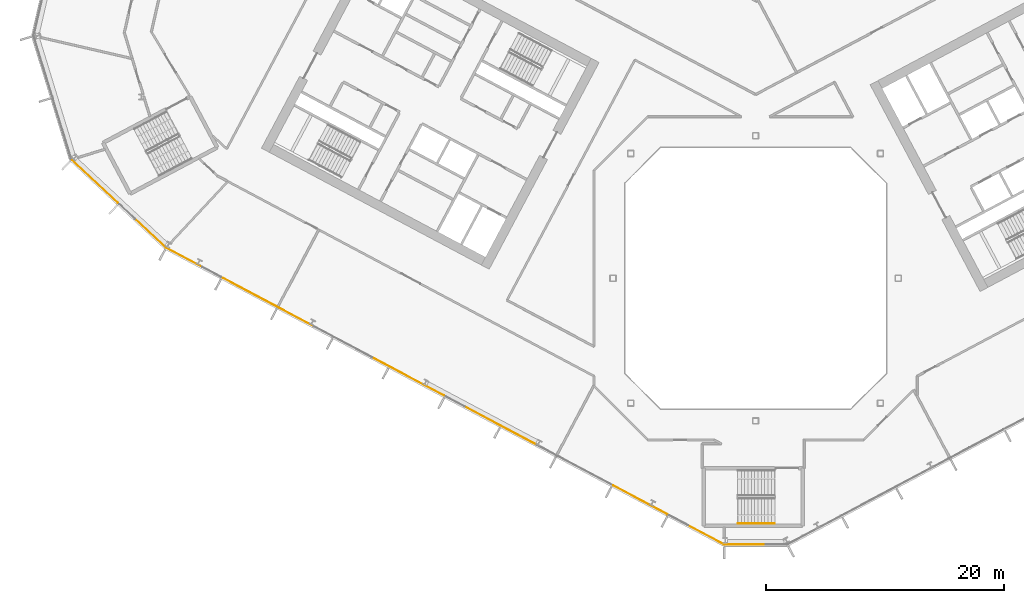
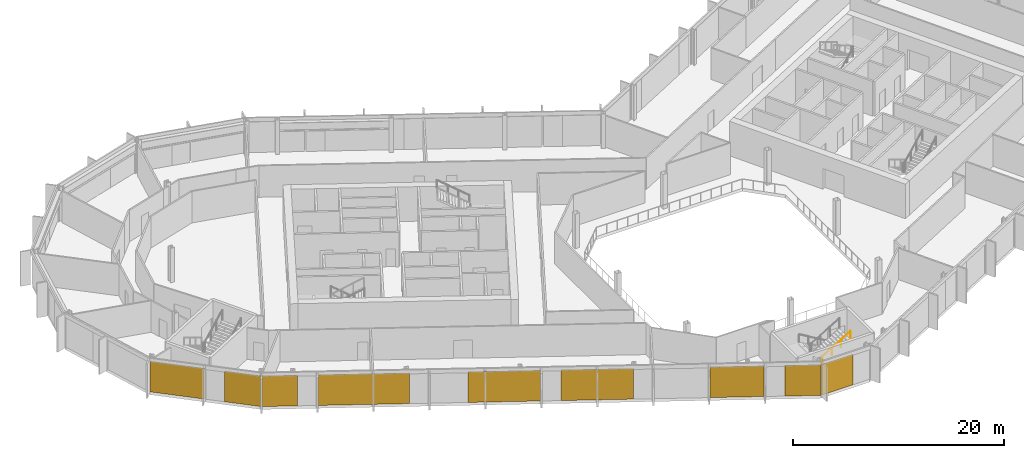
# One storey, part 19 of 28: 9 coverings, 1 railing, 3 elements without a shape of their own.
"""IFC4 building model written with IfcOpenShell, lengths in metres."""

from ifc_helpers import new_model, si_unit, direction, frame, origin, origin_2d, place, context, subcontext, project, spatial, polyline, rectangle, outline, extrude, material, layer, layer_set, type_object, element, aggregate, save


model = new_model("IFC4")

# Units and contexts
model_context = context("Model", 3, precision=1e-05, world=origin(), true_north=direction((0.0, 1.0)))
body_context = subcontext(model_context, "Body", "Model", "MODEL_VIEW")
ifc_project = project(units=[si_unit("LENGTHUNIT", "METRE"), si_unit("AREAUNIT", "SQUARE_METRE"), si_unit("VOLUMEUNIT", "CUBIC_METRE"), si_unit("PLANEANGLEUNIT", "RADIAN"), si_unit("MASSUNIT", "GRAM", prefix="KILO")], contexts=[model_context])

# Site, building, storey
site_placement = place(None, origin())
site = spatial("IfcSite", under=ifc_project, at=site_placement, CompositionType="ELEMENT")
building_placement = place(site_placement, origin())
building = spatial("IfcBuilding", under=site, at=building_placement, Name="Cormorant Relay Tower", CompositionType="ELEMENT")
storey_placement = place(building_placement, frame((0.0, 0.0, 150.199951171875)))
storey = spatial("IfcBuildingStorey", under=building, at=storey_placement, Name="L31", CompositionType="ELEMENT", Elevation=150.199951171875)

# Curtain wall, covering
ifc_material_1 = material(Name="Aluminium 6063-T6 anodised bronze", Category="aluminium")
ifc_layer_1 = layer(ifc_material_1, 0.199951171875)
ifc_layer_set_1 = layer_set([ifc_layer_1], Name="CW1 unitised bronze curtain wall with vertical fins")
curtain_wall_type = type_object("IfcCurtainWallType", Name="CW1 unitised bronze curtain wall with vertical fins", PredefinedType="NOTDEFINED", material=ifc_layer_set_1)
curtain_wall_1_placement = place(storey_placement, origin())
curtain_wall_1 = element("IfcCurtainWall", 1, at=curtain_wall_1_placement, inside=storey, type_object=curtain_wall_type, Name="CW1 curtain wall 1", PredefinedType="NOTDEFINED")
ifc_material_2 = material(Name="Pale bronze anodised aluminium insulated panel", Category="aluminium")
ifc_layer_2 = layer(ifc_material_2, 0.0400390625)
ifc_layer_set_2 = layer_set([ifc_layer_2], Name="CW1 pale bronze insulated panel 40")
covering_type = type_object("IfcCoveringType", Name="CW1 pale bronze insulated panel 40", PredefinedType="CLADDING", material=ifc_layer_set_2)
covering_1_placement = place(storey_placement, frame((-0.862548828125, -22.3955078125, 0.0), z_axis=(0.0, 0.0, 1.0), x_axis=(1.0, 0.0, 0.0)))
covering_1 = element("IfcCovering", 2, at=covering_1_placement, type_object=covering_type, Name="CW1 panel S00", PredefinedType="CLADDING", context=body_context, shape_type="SweptSolid", body=[
    extrude(rectangle(XDim=3.422607421875, YDim=0.0400390625, at=origin_2d()), origin(), (0.0, 0.0, 1.0), 3.550048828125),
])
aggregate(curtain_wall_1, [covering_1])

# Curtain wall, coverings
curtain_wall_2_placement = place(storey_placement, origin())
curtain_wall_2 = element("IfcCurtainWall", 3, at=curtain_wall_2_placement, inside=storey, type_object=curtain_wall_type, Name="CW1 curtain wall 15", PredefinedType="NOTDEFINED")
covering_2_placement = place(storey_placement, frame((-55.56787109375, 8.1298828125, 0.0), z_axis=(0.0, 0.0, 1.0), x_axis=(0.731353701619, -0.681998360062, 0.0)))
covering_2 = element("IfcCovering", 4, at=covering_2_placement, type_object=covering_type, Name="CW1 panel S00", PredefinedType="CLADDING", context=body_context, shape_type="SweptSolid", body=[
    extrude(rectangle(XDim=5.28515625, YDim=0.0400390625, at=origin_2d()), origin(), (0.0, 0.0, 1.0), 3.550048828125),
])
covering_3_placement = place(storey_placement, frame((-50.906982421875, 3.78369140625, 0.0), z_axis=(0.0, 0.0, 1.0), x_axis=(0.731353701619, -0.681998360062, 0.0)))
covering_3 = element("IfcCovering", 5, at=covering_3_placement, type_object=covering_type, Name="CW1 panel S02", PredefinedType="CLADDING", context=body_context, shape_type="SweptSolid", body=[
    extrude(rectangle(XDim=3.560302734375, YDim=0.0400390625, at=origin_2d()), origin(), (0.0, 0.0, 1.0), 3.550048828125),
])
aggregate(curtain_wall_2, [covering_2, covering_3])

curtain_wall_3_placement = place(storey_placement, origin())
curtain_wall_3 = element("IfcCurtainWall", 6, at=curtain_wall_3_placement, inside=storey, type_object=curtain_wall_type, Name="CW1 curtain wall 16", PredefinedType="NOTDEFINED")
covering_4_placement = place(storey_placement, frame((-48.048583984375, 1.7412109375, 0.0), z_axis=(0.0, 0.0, 1.0), x_axis=(0.882947592859, -0.469471562786, 0.0)))
covering_4 = element("IfcCovering", 7, at=covering_4_placement, type_object=covering_type, Name="CW1 panel S00", PredefinedType="CLADDING", context=body_context, shape_type="SweptSolid", body=[
    extrude(rectangle(XDim=3.36669921875, YDim=0.0400390625, at=origin_2d()), origin(), (0.0, 0.0, 1.0), 3.550048828125),
])
covering_5_placement = place(storey_placement, frame((-41.007080078125, -2.002685546875, 0.0), z_axis=(0.0, 0.0, 1.0), x_axis=(0.882947592859, -0.469471562786, 0.0)))
covering_5 = element("IfcCovering", 8, at=covering_5_placement, type_object=covering_type, Name="CW1 panel S02", PredefinedType="CLADDING", context=body_context, shape_type="SweptSolid", body=[
    extrude(rectangle(XDim=8.68310546875, YDim=0.0400390625, at=origin_2d()), origin(), (0.0, 0.0, 1.0), 3.550048828125),
])
covering_6_placement = place(storey_placement, frame((-29.234619140625, -8.26220703125, 0.0), z_axis=(0.0, 0.0, 1.0), x_axis=(0.882947592859, -0.469471562786, 0.0)))
covering_6 = element("IfcCovering", 9, at=covering_6_placement, type_object=covering_type, Name="CW1 panel S05", PredefinedType="CLADDING", context=body_context, shape_type="SweptSolid", body=[
    extrude(rectangle(XDim=6.88330078125, YDim=0.0400390625, at=origin_2d()), origin(), (0.0, 0.0, 1.0), 3.550048828125),
])
covering_7_placement = place(storey_placement, frame((-21.435302734375, -12.4091796875, 0.0), z_axis=(0.0, 0.0, 1.0), x_axis=(0.882947592859, -0.469471562786, 0.0)))
covering_7 = element("IfcCovering", 10, at=covering_7_placement, type_object=covering_type, Name="CW1 panel S07", PredefinedType="CLADDING", context=body_context, shape_type="SweptSolid", body=[
    extrude(rectangle(XDim=6.88330078125, YDim=0.0400390625, at=origin_2d()), origin(), (0.0, 0.0, 1.0), 3.550048828125),
])
covering_8_placement = place(storey_placement, frame((-9.69970703125, -18.649169921875, 0.0), z_axis=(0.0, 0.0, 1.0), x_axis=(0.882947592859, -0.469471562786, 0.0)))
covering_8 = element("IfcCovering", 11, at=covering_8_placement, type_object=covering_type, Name="CW1 panel S10", PredefinedType="CLADDING", context=body_context, shape_type="SweptSolid", body=[
    extrude(rectangle(XDim=5.16650390625, YDim=0.0400390625, at=origin_2d()), origin(), (0.0, 0.0, 1.0), 3.550048828125),
])
covering_9_placement = place(storey_placement, frame((-4.177490234375, -21.58544921875, 0.0), z_axis=(0.0, 0.0, 1.0), x_axis=(0.882947592859, -0.469471562786, 0.0)))
covering_9 = element("IfcCovering", 12, at=covering_9_placement, type_object=covering_type, Name="CW1 panel S12", PredefinedType="CLADDING", context=body_context, shape_type="SweptSolid", body=[
    extrude(rectangle(XDim=3.441650390625, YDim=0.0400390625, at=origin_2d()), origin(), (0.0, 0.0, 1.0), 3.550048828125),
])
aggregate(curtain_wall_3, [covering_4, covering_5, covering_6, covering_7, covering_8, covering_9])

# Railing
ifc_material_3 = material(Name="Steel ASTM A572 Grade 50 (Fy 345 MPa)", Category="steel")
railing_type = type_object("IfcRailingType", Name="Stair handrail 900", PredefinedType="HANDRAIL", material=ifc_material_3)
railing_placement = place(storey_placement, frame((-1.47998046875, -20.625, 2.166748046875)))
element("IfcRailing", 13, at=railing_placement, inside=storey, type_object=railing_type, Name="L31 RK1 stair handrail 2", PredefinedType="HANDRAIL", context=body_context, shape_type="SweptSolid", body=[
    extrude(outline(polyline([(0.022216796875, 0.00927734375), (0.00927734375, 0.022216796875), (-0.00927734375, 0.022216796875), (-0.022216796875, 0.00927734375), (-0.022216796875, -0.00927734375), (-0.00927734375, -0.022216796875), (0.00927734375, -0.022216796875), (0.022216796875, -0.00927734375), (0.022216796875, 0.00927734375)])), frame((0.0, 0.0, 0.8759765625), z_axis=(0.859308565015, 0.0, 0.511457515432), x_axis=(0.0, 1.0, 0.0)), (0.0, 0.0, 1.0), 3.58447265625),
    extrude(outline(polyline([(0.019287109375, 0.008056640625), (0.008056640625, 0.019287109375), (-0.008056640625, 0.019287109375), (-0.019287109375, 0.008056640625), (-0.019287109375, -0.008056640625), (-0.008056640625, -0.019287109375), (0.008056640625, -0.019287109375), (0.019287109375, -0.008056640625), (0.019287109375, 0.008056640625)])), origin(), (0.0, 0.0, 1.0), 0.851806640625),
    extrude(outline(polyline([(0.019287109375, 0.008056640625), (0.008056640625, 0.019287109375), (-0.008056640625, 0.019287109375), (-0.019287109375, 0.008056640625), (-0.019287109375, -0.008056640625), (-0.008056640625, -0.019287109375), (0.008056640625, -0.019287109375), (0.019287109375, -0.008056640625), (0.019287109375, 0.008056640625)])), frame((1.026611328125, 0.0, 0.611083984375)), (0.0, 0.0, 1.0), 0.851806640625),
    extrude(outline(polyline([(0.019287109375, 0.008056640625), (0.008056640625, 0.019287109375), (-0.008056640625, 0.019287109375), (-0.019287109375, 0.008056640625), (-0.019287109375, -0.008056640625), (-0.008056640625, -0.019287109375), (0.008056640625, -0.019287109375), (0.019287109375, -0.008056640625), (0.019287109375, 0.008056640625)])), frame((2.053466796875, 0.0, 1.22216796875)), (0.0, 0.0, 1.0), 0.851806640625),
    extrude(outline(polyline([(0.019287109375, 0.008056640625), (0.008056640625, 0.019287109375), (-0.008056640625, 0.019287109375), (-0.019287109375, 0.008056640625), (-0.019287109375, -0.008056640625), (-0.008056640625, -0.019287109375), (0.008056640625, -0.019287109375), (0.019287109375, -0.008056640625), (0.019287109375, 0.008056640625)])), frame((3.080078125, 0.0, 1.833251953125)), (0.0, 0.0, 1.0), 0.851806640625),
])

save(model, "model.ifc")
